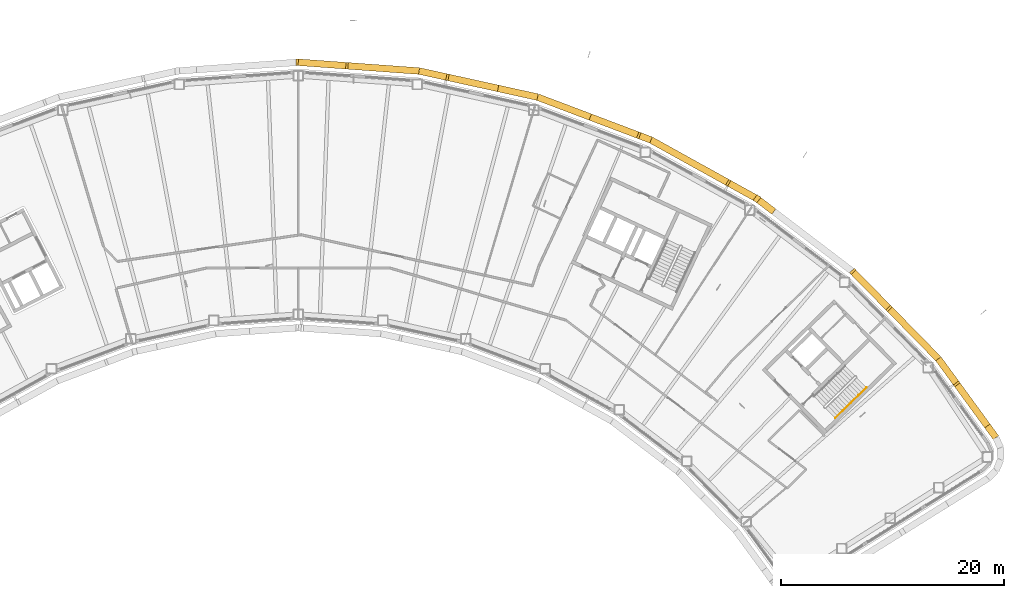
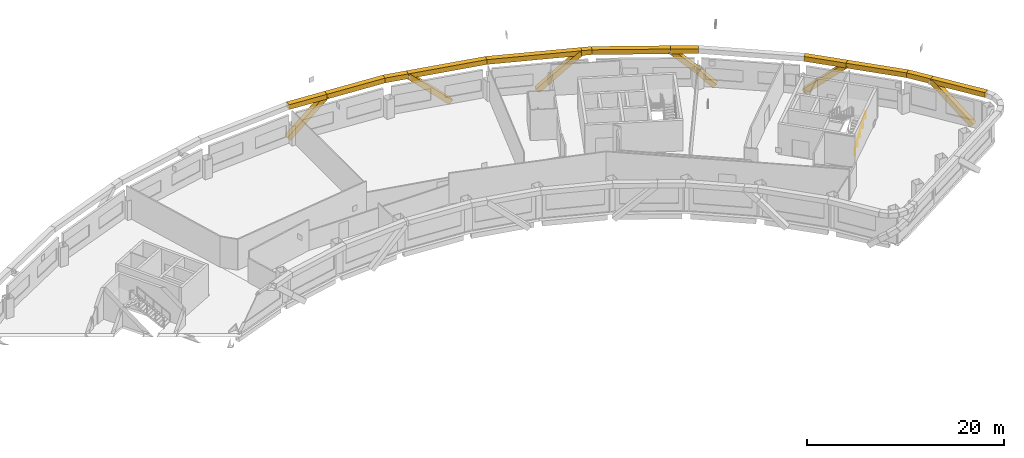
# One storey, part 19 of 20: 19 coverings, 1 railing.
"""IFC4 building model written with IfcOpenShell, lengths in metres."""

from ifc_helpers import new_model, si_unit, direction, frame, origin, origin_2d, place, context, subcontext, project, spatial, rectangle, circle, extrude, material, material_profile, profile_set, type_object, element, save


model = new_model("IFC4")

# Units and contexts
model_context = context("Model", 3, precision=1e-05, world=origin(), true_north=direction((0.0, 1.0)))
body_context = subcontext(model_context, "Body", "Model", "MODEL_VIEW")
ifc_project = project(units=[si_unit("LENGTHUNIT", "METRE"), si_unit("AREAUNIT", "SQUARE_METRE"), si_unit("VOLUMEUNIT", "CUBIC_METRE"), si_unit("PLANEANGLEUNIT", "RADIAN"), si_unit("MASSUNIT", "GRAM", prefix="KILO")], contexts=[model_context])

# Site, building, storey
site_placement = place(None, origin())
site = spatial("IfcSite", under=ifc_project, at=site_placement, CompositionType="ELEMENT")
building_placement = place(site_placement, origin())
building = spatial("IfcBuilding", under=site, at=building_placement, Name="Tuul Gate Civic Tower", CompositionType="ELEMENT")
storey_placement = place(building_placement, frame((0.0, 0.0, 197.300048828125)))
storey = spatial("IfcBuildingStorey", under=building, at=storey_placement, Name="Level 45", CompositionType="ELEMENT", Elevation=197.300048828125)

# Railing
ifc_material_1 = material(Name="Painted steel", Category="steel")
railing_type = type_object("IfcRailingType", Name="Stair handrail", PredefinedType="HANDRAIL", material=ifc_material_1)
railing_placement = place(storey_placement, frame((49.05126953125, -17.028076171875, 0.14990234375)))
element("IfcRailing", 1, at=railing_placement, inside=storey, type_object=railing_type, Name="Level 45 ST-3 stair handrail 1", PredefinedType="HANDRAIL", context=body_context, shape_type="SweptSolid", body=[
    extrude(circle(Radius=0.02392578125, at=origin_2d()), frame((0.0, 0.0, 0.8759765625), z_axis=(0.638753653487, 0.626099522554, 0.447205945863), x_axis=(-0.699997553204, 0.714145241186, 0.0)), (0.0, 0.0, 1.0), 4.3603515625),
    extrude(circle(Radius=0.02099609375, at=origin_2d()), origin(), (0.0, 0.0, 1.0), 0.851806640625),
    extrude(circle(Radius=0.02099609375, at=origin_2d()), frame((0.6962890625, 0.6826171875, 0.487548828125)), (0.0, 0.0, 1.0), 0.851806640625),
    extrude(circle(Radius=0.02099609375, at=origin_2d()), frame((1.392578125, 1.364990234375, 0.97509765625)), (0.0, 0.0, 1.0), 0.851806640625),
    extrude(circle(Radius=0.02099609375, at=origin_2d()), frame((2.0888671875, 2.04736328125, 1.46240234375)), (0.0, 0.0, 1.0), 0.851806640625),
    extrude(circle(Radius=0.02099609375, at=origin_2d()), frame((2.78515625, 2.72998046875, 1.949951171875)), (0.0, 0.0, 1.0), 0.851806640625),
])

# Coverings
ifc_material_2 = material(Name="Terracotta baguette", Category="masonry")
ifc_material_profile = material_profile(ifc_material_2, rectangle(XDim=0.60009765625, YDim=0.60009765625, at=origin_2d()), Name="Terracotta baguette screen frame")
ifc_profile_set = profile_set([ifc_material_profile], Name="Terracotta baguette")
covering_type = type_object("IfcCoveringType", Name="Terracotta baguette screen frame", PredefinedType="CLADDING", material=ifc_profile_set)
covering_1_placement = place(storey_placement, frame((62.549560546875, -17.56884765625, -0.35009765625), z_axis=(-0.433770617743, 0.59398297229, 0.677515519978), x_axis=(-0.807581408805, -0.589756109042, 0.0)))
element("IfcCovering", 2, at=covering_1_placement, inside=storey, type_object=covering_type, Name="Baguette 20", PredefinedType="CLADDING", context=body_context, shape_type="SweptSolid", body=[
    extrude(rectangle(XDim=0.60009765625, YDim=0.60009765625, at=origin_2d()), origin(), (0.0, 0.0, 1.0), 6.198974609375),
])
covering_2_placement = place(storey_placement, frame((59.860595703125, -13.88671875, 3.849853515625), z_axis=(-0.58975169847, 0.807584629715, 0.0), x_axis=(-0.807584629715, -0.58975169847, 0.0)))
element("IfcCovering", 3, at=covering_2_placement, inside=storey, type_object=covering_type, Name="Baguette 25", PredefinedType="CLADDING", context=body_context, shape_type="SweptSolid", body=[
    extrude(rectangle(XDim=0.60009765625, YDim=0.60009765625, at=origin_2d()), origin(), (0.0, 0.0, 1.0), 2.680908203125),
])
covering_3_placement = place(storey_placement, frame((58.279541015625, -11.7216796875, 3.849853515625), z_axis=(-0.700039399016, 0.714104221963, 0.0), x_axis=(-0.714104221963, -0.700039399016, 0.0)))
element("IfcCovering", 4, at=covering_3_placement, inside=storey, type_object=covering_type, Name="Baguette 26", PredefinedType="CLADDING", context=body_context, shape_type="SweptSolid", body=[
    extrude(rectangle(XDim=0.60009765625, YDim=0.60009765625, at=origin_2d()), origin(), (0.0, 0.0, 1.0), 6.4052734375),
])
covering_4_placement = place(storey_placement, frame((53.795654296875, -7.147705078125, 3.849853515625), z_axis=(-0.513678874603, 0.523995167998, -0.679384337251), x_axis=(-0.714101368885, -0.700042309404, 0.0)))
element("IfcCovering", 5, at=covering_4_placement, inside=storey, type_object=covering_type, Name="Baguette 29", PredefinedType="CLADDING", context=body_context, shape_type="SweptSolid", body=[
    extrude(rectangle(XDim=0.60009765625, YDim=0.60009765625, at=origin_2d()), origin(), (0.0, 0.0, 1.0), 6.058349609375),
])
covering_5_placement = place(storey_placement, frame((43.393310546875, 1.577880859375, -0.35009765625), z_axis=(-0.583807626015, 0.444487485529, 0.679411164918), x_axis=(-0.605768691074, -0.795640806467, 0.0)))
element("IfcCovering", 6, at=covering_5_placement, inside=storey, type_object=covering_type, Name="Baguette 43", PredefinedType="CLADDING", context=body_context, shape_type="SweptSolid", body=[
    extrude(rectangle(XDim=0.60009765625, YDim=0.60009765625, at=origin_2d()), origin(), (0.0, 0.0, 1.0), 2.30078125),
])
covering_6_placement = place(storey_placement, frame((42.050048828125, 2.6005859375, 1.213134765625), z_axis=(-0.641812068386, 0.355723536874, 0.679365905966), x_axis=(-0.484769274332, -0.874642070028, 0.0)))
element("IfcCovering", 7, at=covering_6_placement, inside=storey, type_object=covering_type, Name="Baguette 44", PredefinedType="CLADDING", context=body_context, shape_type="SweptSolid", body=[
    extrude(rectangle(XDim=0.60009765625, YDim=0.60009765625, at=origin_2d()), origin(), (0.0, 0.0, 1.0), 3.881103515625),
])
covering_7_placement = place(storey_placement, frame((39.55908203125, 3.981201171875, 3.849853515625), z_axis=(-0.874621635981, 0.484806140508, 0.0), x_axis=(-0.484806140508, -0.874621635981, 0.0)))
element("IfcCovering", 8, at=covering_7_placement, inside=storey, type_object=covering_type, Name="Baguette 49", PredefinedType="CLADDING", context=body_context, shape_type="SweptSolid", body=[
    extrude(rectangle(XDim=0.60009765625, YDim=0.60009765625, at=origin_2d()), origin(), (0.0, 0.0, 1.0), 8.00341796875),
])
covering_8_placement = place(storey_placement, frame((32.55908203125, 7.861328125, 3.849853515625), z_axis=(-0.935320988118, 0.353800295628, 0.0), x_axis=(-0.353800295628, -0.935320988118, 0.0)))
element("IfcCovering", 9, at=covering_8_placement, inside=storey, type_object=covering_type, Name="Baguette 50", PredefinedType="CLADDING", context=body_context, shape_type="SweptSolid", body=[
    extrude(rectangle(XDim=0.60009765625, YDim=0.60009765625, at=origin_2d()), origin(), (0.0, 0.0, 1.0), 1.06884765625),
])
for number, where, z_axis, x_axis, name in (
    (10, (31.559326171875, 8.239501953125, 3.849853515625), (-0.686341416792, 0.259545186211, -0.679390724039), (-0.353711403676, -0.935354608108, 0.0), "Baguette 52"),
    (11, (18.6728515625, 12.523193359375, -0.35009765625), (-0.716585909211, 0.157929294623, 0.679384259915), (-0.215226248943, -0.976564212823, 0.0), "Baguette 62"),
):
    element("IfcCovering", number, at=place(storey_placement, frame(where, z_axis=z_axis, x_axis=x_axis)), inside=storey, type_object=covering_type, Name=name, PredefinedType="CLADDING", context=body_context, shape_type="SweptSolid", body=[
        extrude(rectangle(XDim=0.60009765625, YDim=0.60009765625, at=origin_2d()), origin(), (0.0, 0.0, 1.0), 6.181884765625),
    ])
covering_9_placement = place(storey_placement, frame((14.242919921875, 13.49951171875, 3.849853515625), z_axis=(-0.976564116236, 0.215226687194, 0.0), x_axis=(-0.215226687194, -0.976564116236, 0.0)))
element("IfcCovering", 12, at=covering_9_placement, inside=storey, type_object=covering_type, Name="Baguette 67", PredefinedType="CLADDING", context=body_context, shape_type="SweptSolid", body=[
    extrude(rectangle(XDim=0.60009765625, YDim=0.60009765625, at=origin_2d()), origin(), (0.0, 0.0, 1.0), 2.48876953125),
])
covering_10_placement = place(storey_placement, frame((11.8125, 14.03515625, 3.849853515625), z_axis=(-0.997387623225, 0.072235234043, 0.0), x_axis=(-0.072235234043, -0.997387623225, 0.0)))
element("IfcCovering", 13, at=covering_10_placement, inside=storey, type_object=covering_type, Name="Baguette 68", PredefinedType="CLADDING", context=body_context, shape_type="SweptSolid", body=[
    extrude(rectangle(XDim=0.60009765625, YDim=0.60009765625, at=origin_2d()), origin(), (0.0, 0.0, 1.0), 6.583740234375),
])
covering_11_placement = place(storey_placement, frame((5.245849609375, 14.5107421875, 3.849853515625), z_axis=(-0.731864231922, 0.053025729975, -0.679384293309), x_axis=(-0.072263537098, -0.997385572989, 0.0)))
element("IfcCovering", 14, at=covering_11_placement, inside=storey, type_object=covering_type, Name="Baguette 71", PredefinedType="CLADDING", context=body_context, shape_type="SweptSolid", body=[
    extrude(rectangle(XDim=0.60009765625, YDim=0.60009765625, at=origin_2d()), origin(), (0.0, 0.0, 1.0), 5.815185546875),
])
covering_12_placement = place(storey_placement, frame((53.795654296875, -7.147705078125, 3.849853515625), z_axis=(-0.700042309404, 0.714101368885, 0.0), x_axis=(-0.714101368885, -0.700042309404, 0.0)))
element("IfcCovering", 15, at=covering_12_placement, inside=storey, type_object=covering_type, Name="Baguette 401", PredefinedType="CLADDING", context=body_context, shape_type="SweptSolid", body=[
    extrude(rectangle(XDim=0.60009765625, YDim=0.60009765625, at=origin_2d()), origin(), (0.0, 0.0, 1.0), 4.445556640625),
])
covering_13_placement = place(storey_placement, frame((42.050048828125, 2.6005859375, 3.849853515625), z_axis=(-0.874642070028, 0.484769274332, 0.0), x_axis=(-0.484769274332, -0.874642070028, 0.0)))
element("IfcCovering", 16, at=covering_13_placement, inside=storey, type_object=covering_type, Name="Baguette 403", PredefinedType="CLADDING", context=body_context, shape_type="SweptSolid", body=[
    extrude(rectangle(XDim=0.60009765625, YDim=0.60009765625, at=origin_2d()), origin(), (0.0, 0.0, 1.0), 2.847900390625),
])
covering_14_placement = place(storey_placement, frame((31.559326171875, 8.239501953125, 3.849853515625), z_axis=(-0.935351210517, 0.353720388138, 0.0), x_axis=(-0.353720388138, -0.935351210517, 0.0)))
element("IfcCovering", 17, at=covering_14_placement, inside=storey, type_object=covering_type, Name="Baguette 404", PredefinedType="CLADDING", context=body_context, shape_type="SweptSolid", body=[
    extrude(rectangle(XDim=0.60009765625, YDim=0.60009765625, at=origin_2d()), origin(), (0.0, 0.0, 1.0), 9.7822265625),
])
covering_15_placement = place(storey_placement, frame((22.409423828125, 11.69970703125, 3.849853515625), z_axis=(-0.976564757284, 0.215223778496, 0.0), x_axis=(-0.215223778496, -0.976564757284, 0.0)))
element("IfcCovering", 18, at=covering_15_placement, inside=storey, type_object=covering_type, Name="Baguette 405", PredefinedType="CLADDING", context=body_context, shape_type="SweptSolid", body=[
    extrude(rectangle(XDim=0.60009765625, YDim=0.60009765625, at=origin_2d()), origin(), (0.0, 0.0, 1.0), 8.362548828125),
])
covering_16_placement = place(storey_placement, frame((5.245849609375, 14.5107421875, 3.849853515625), z_axis=(-0.997385572989, 0.072263537098, 0.0), x_axis=(-0.072263537098, -0.997385572989, 0.0)))
element("IfcCovering", 19, at=covering_16_placement, inside=storey, type_object=covering_type, Name="Baguette 406", PredefinedType="CLADDING", context=body_context, shape_type="SweptSolid", body=[
    extrude(rectangle(XDim=0.60009765625, YDim=0.60009765625, at=origin_2d()), origin(), (0.0, 0.0, 1.0), 4.26708984375),
])
covering_17_placement = place(storey_placement, frame((63.43115234375, -18.77587890625, 3.849853515625), z_axis=(-0.589769860681, 0.807571366154, 0.0), x_axis=(-0.807571366154, -0.589769860681, 0.0)))
element("IfcCovering", 20, at=covering_17_placement, inside=storey, type_object=covering_type, Name="Baguette 438", PredefinedType="CLADDING", context=body_context, shape_type="SweptSolid", body=[
    extrude(rectangle(XDim=0.60009765625, YDim=0.60009765625, at=origin_2d()), origin(), (0.0, 0.0, 1.0), 6.05419921875),
])

save(model, "model.ifc")
